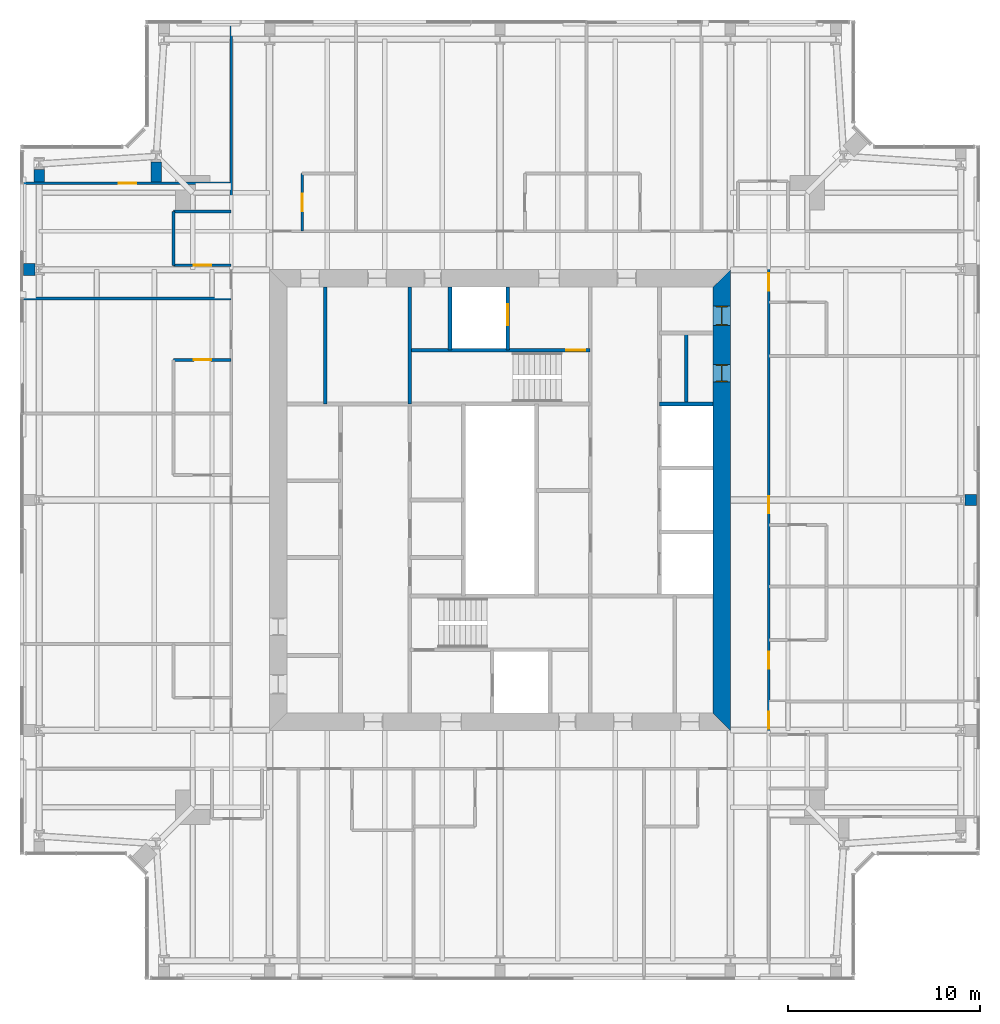
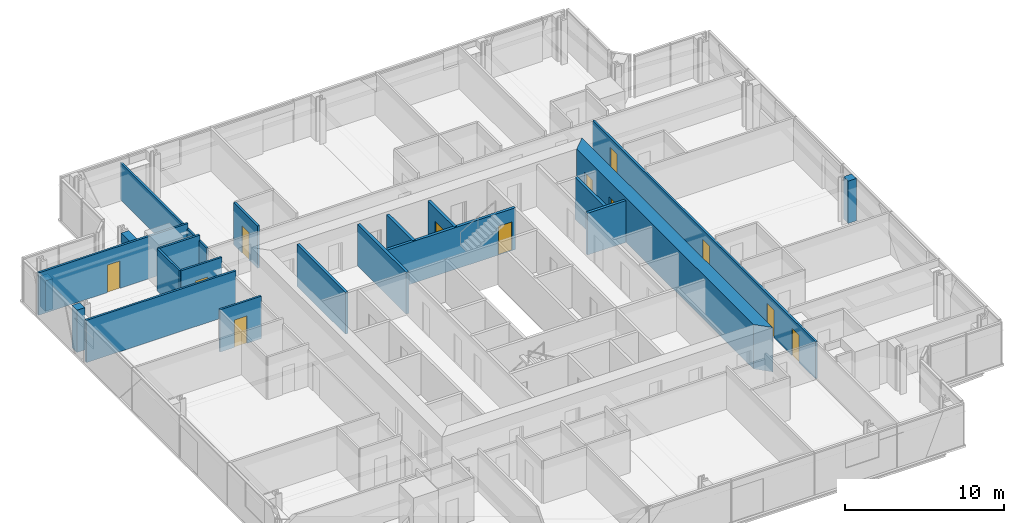
# One storey, part 14 of 19: 21 walls, 12 doors, 12 openings.
"""IFC4 building model written with IfcOpenShell, lengths in metres."""

from ifc_helpers import new_model, si_unit, direction, frame, frame_2d, origin, place, context, subcontext, project, spatial, polyline, rectangle, outline, extrude, material, layer, layer_set, type_object, element, fill, save


model = new_model("IFC4")

# Units and contexts
model_context = context("Model", 3, precision=1e-05, world=origin(), true_north=direction((0.0, 1.0)))
body_context = subcontext(model_context, "Body", "Model", "MODEL_VIEW")
ifc_project = project(units=[si_unit("LENGTHUNIT", "METRE"), si_unit("AREAUNIT", "SQUARE_METRE"), si_unit("VOLUMEUNIT", "CUBIC_METRE"), si_unit("PLANEANGLEUNIT", "RADIAN"), si_unit("MASSUNIT", "GRAM", prefix="KILO")], contexts=[model_context])

# Site, building, storey
site_placement = place(None, origin())
site = spatial("IfcSite", under=ifc_project, at=site_placement, CompositionType="ELEMENT")
building_placement = place(site_placement, origin())
building = spatial("IfcBuilding", under=site, at=building_placement, Name="Fenwick Lantern Interchange", CompositionType="ELEMENT")
storey_placement = place(building_placement, frame((0.0, 0.0, 273.0)))
storey = spatial("IfcBuildingStorey", under=building, at=storey_placement, Name="L65", CompositionType="ELEMENT", Elevation=273.0)

# Walls
ifc_material_1 = material(Name="Fire-rated gypsum board encasement on steel studs, 2 hour", Category="steel")
ifc_layer_1 = layer(ifc_material_1, 0.554931640625)
ifc_layer_set_1 = layer_set([ifc_layer_1], Name="COLUMN PIER 555")
wall_type_1 = type_object("IfcWallType", Name="COLUMN PIER 555", PredefinedType="PARTITIONING", material=ifc_layer_set_1)
wall_1_placement = place(storey_placement, frame((7.10009765625, 41.574951171875, 0.0), z_axis=(0.0, 0.0, 1.0), x_axis=(0.0, 1.0, 0.0)))
element("IfcWall", 1, at=wall_1_placement, inside=storey, type_object=wall_type_1, Name="L65/W/PIER/CNR", PredefinedType="PARTITIONING", context=body_context, shape_type="SweptSolid", body=[
    extrude(rectangle(XDim=1.04052734375, YDim=0.554931640625, at=frame_2d((0.520263671875, 0.0))), origin(), (0.0, 0.0, 1.0), 3.25),
])
wall_2_placement = place(storey_placement, frame((1.0, 41.574951171875, 0.0), z_axis=(0.0, 0.0, 1.0), x_axis=(0.0, 1.0, 0.0)))
element("IfcWall", 2, at=wall_2_placement, inside=storey, type_object=wall_type_1, Name="L65/W/PIER/CW1", PredefinedType="PARTITIONING", context=body_context, shape_type="SweptSolid", body=[
    extrude(rectangle(XDim=0.640625, YDim=0.554931640625, at=frame_2d((0.3203125, 0.0))), origin(), (0.0, 0.0, 1.0), 2.338134765625),
])
ifc_layer_2 = layer(ifc_material_1, 0.574951171875)
ifc_layer_set_2 = layer_set([ifc_layer_2], Name="COLUMN PIER 575")
wall_type_2 = type_object("IfcWallType", Name="COLUMN PIER 575", PredefinedType="PARTITIONING", material=ifc_layer_set_2)
wall_3_placement = place(storey_placement, frame((49.81005859375, 25.0, 0.0), z_axis=(0.0, 0.0, 1.0), x_axis=(-1.0, 0.0, 0.0)))
element("IfcWall", 3, at=wall_3_placement, inside=storey, type_object=wall_type_2, Name="L65/W/PIER/CE3", PredefinedType="PARTITIONING", context=body_context, shape_type="SweptSolid", body=[
    extrude(rectangle(XDim=0.597900390625, YDim=0.574951171875, at=frame_2d((0.298828125, 0.0))), origin(), (0.0, 0.0, 1.0), 3.25),
])
ifc_layer_3 = layer(ifc_material_1, 0.631103515625)
ifc_layer_set_3 = layer_set([ifc_layer_3], Name="COLUMN PIER 631")
wall_type_3 = type_object("IfcWallType", Name="COLUMN PIER 631", PredefinedType="PARTITIONING", material=ifc_layer_set_3)
wall_4_placement = place(storey_placement, frame((0.18994140625, 37.0, 0.0), z_axis=(0.0, 0.0, 1.0), x_axis=(1.0, 0.0, 0.0)))
element("IfcWall", 4, at=wall_4_placement, inside=storey, type_object=wall_type_3, Name="L65/W/PIER/CW2", PredefinedType="PARTITIONING", context=body_context, shape_type="SweptSolid", body=[
    extrude(rectangle(XDim=0.589111328125, YDim=0.631103515625, at=frame_2d((0.29443359375, 0.0))), origin(), (0.0, 0.0, 1.0), 3.25),
])
ifc_material_2 = material(Name="Concrete masonry ASTM C90 Grade N", Category="masonry")
ifc_layer_4 = layer(ifc_material_2, 0.199951171875)
ifc_layer_set_4 = layer_set([ifc_layer_4], Name="Concrete masonry ASTM C90 Grade N")
wall_type_4 = type_object("IfcWallType", Name="CORE PARTITION 200", PredefinedType="PARTITIONING", material=ifc_layer_set_4)
wall_5_placement = place(storey_placement, frame((36.10009765625, 30.0, 0.0), z_axis=(0.0, 0.0, 1.0), x_axis=(-1.0, 0.0, 0.0)))
element("IfcWall", 5, at=wall_5_placement, inside=storey, type_object=wall_type_4, Name="L65/W/COREN/c2", PredefinedType="PARTITIONING", context=body_context, shape_type="SweptSolid", body=[
    extrude(rectangle(XDim=2.800048828125, YDim=0.199951171875, at=frame_2d((1.39990234375, 0.0))), origin(), (0.0, 0.0, 1.0), 3.199951171875),
])

# Wall, opening, door
wall_6_placement = place(storey_placement, frame((25.39990234375, 36.10009765625, 0.0), z_axis=(0.0, 0.0, 1.0), x_axis=(0.0, -1.0, 0.0)))
wall_6 = element("IfcWall", 6, at=wall_6_placement, inside=storey, type_object=wall_type_4, Name="L65/W/COREN/h1", PredefinedType="PARTITIONING", context=body_context, shape_type="SweptSolid", body=[
    extrude(rectangle(XDim=3.300048828125, YDim=0.199951171875, at=frame_2d((1.64990234375, 0.0))), origin(), (0.0, 0.0, 1.0), 3.199951171875),
])
opening_1_placement = place(wall_6_placement, frame((0.89990234375, 0.0, 0.0)))
opening_1 = element("IfcOpeningElement", 7, at=opening_1_placement, cuts=wall_6, Name="Opening LD-FL2", PredefinedType="OPENING", context=body_context, shape_type="SweptSolid", body=[
    extrude(rectangle(XDim=1.10009765625, YDim=2.199951171875, at=frame_2d((0.550048828125, 1.10009765625))), frame((0.0, 0.10986328125, 0.0), z_axis=(0.0, -1.0, 0.0), x_axis=(1.0, 0.0, 0.0)), (0.0, 0.0, 1.0), 0.219970703125),
])
ifc_material_3 = material(Name="Steel door and frame", Category="steel")
door_type_1 = type_object("IfcDoorType", Name="LIFT LANDING DOOR 1100 X 2200", OperationType="DOUBLE_DOOR_SLIDING", PredefinedType="DOOR", material=ifc_material_3)
door_1_placement = place(opening_1_placement, origin())
door_1 = element("IfcDoor", 8, at=door_1_placement, inside=storey, type_object=door_type_1, Name="Lift landing door FL2", OperationType="DOUBLE_DOOR_SLIDING", OverallHeight=2.199951171875, OverallWidth=1.10009765625, PredefinedType="DOOR", context=body_context, shape_type="SweptSolid", body=[
    extrude(rectangle(XDim=1.10009765625, YDim=2.199951171875, at=frame_2d((0.550048828125, 1.10009765625))), frame((0.0, 0.02490234375, 0.0), z_axis=(0.0, -1.0, 0.0), x_axis=(1.0, 0.0, 0.0)), (0.0, 0.0, 1.0), 0.050048828125),
])
fill(opening_1, door_1)

# Walls
wall_7_placement = place(storey_placement, frame((22.39990234375, 36.10009765625, 0.0), z_axis=(0.0, 0.0, 1.0), x_axis=(0.0, -1.0, 0.0)))
element("IfcWall", 9, at=wall_7_placement, inside=storey, type_object=wall_type_4, Name="L65/W/COREN/h2", PredefinedType="PARTITIONING", context=body_context, shape_type="SweptSolid", body=[
    extrude(rectangle(XDim=3.300048828125, YDim=0.199951171875, at=frame_2d((1.64990234375, 0.0))), origin(), (0.0, 0.0, 1.0), 3.199951171875),
])
wall_8_placement = place(storey_placement, frame((15.89990234375, 36.10009765625, 0.0), z_axis=(0.0, 0.0, 1.0), x_axis=(0.0, -1.0, 0.0)))
element("IfcWall", 10, at=wall_8_placement, inside=storey, type_object=wall_type_4, Name="L65/W/COREN/i2", PredefinedType="PARTITIONING", context=body_context, shape_type="SweptSolid", body=[
    extrude(rectangle(XDim=6.10009765625, YDim=0.199951171875, at=frame_2d((3.050048828125, 0.0))), origin(), (0.0, 0.0, 1.0), 3.199951171875),
])
wall_9_placement = place(storey_placement, frame((34.699951171875, 33.699951171875, 0.0), z_axis=(0.0, 0.0, 1.0), x_axis=(0.0, -1.0, 0.0)))
element("IfcWall", 11, at=wall_9_placement, inside=storey, type_object=wall_type_4, Name="L65/W/COREN/px", PredefinedType="PARTITIONING", context=body_context, shape_type="SweptSolid", body=[
    extrude(rectangle(XDim=3.699951171875, YDim=0.199951171875, at=frame_2d((1.85009765625, 0.0))), origin(), (0.0, 0.0, 1.0), 3.199951171875),
])

# Wall, openings, doors
ifc_material_4 = material(Name="Concrete f'c 70 MPa", Category="concrete")
ifc_layer_5 = layer(ifc_material_4, 0.89990234375)
ifc_layer_set_5 = layer_set([ifc_layer_5], Name="CORE WALL 900")
wall_type_5 = type_object("IfcWallType", Name="CORE WALL 900", PredefinedType="SHEAR", material=ifc_layer_set_5)
wall_10_placement = place(storey_placement, frame((36.550048828125, 13.89990234375, 0.0), z_axis=(0.0, 0.0, 1.0), x_axis=(0.0, 1.0, 0.0)))
wall_10 = element("IfcWall", 12, at=wall_10_placement, inside=storey, type_object=wall_type_5, Name="L65/CORE/E", PredefinedType="SHEAR", context=body_context, shape_type="SweptSolid", body=[
    extrude(outline(polyline([(-0.89990234375, -0.449951171875), (23.10009765625, -0.449951171875), (22.199951171875, 0.449951171875), (0.0, 0.449951171875), (-0.89990234375, -0.449951171875)])), origin(), (0.0, 0.0, 1.0), 3.39990234375),
])
opening_2_placement = place(wall_10_placement, frame((20.199951171875, 0.0, 0.0)))
opening_2 = element("IfcOpeningElement", 13, at=opening_2_placement, cuts=wall_10, Name="Opening L65-D020", PredefinedType="OPENING", context=body_context, shape_type="SweptSolid", body=[
    extrude(rectangle(XDim=1.0, YDim=2.199951171875, at=frame_2d((0.5, 1.10009765625))), frame((0.0, 0.4599609375, 0.0), z_axis=(0.0, -1.0, 0.0), x_axis=(1.0, 0.0, 0.0)), (0.0, 0.0, 1.0), 0.919921875),
])
opening_3_placement = place(wall_10_placement, frame((17.25, 0.0, 0.0)))
opening_3 = element("IfcOpeningElement", 14, at=opening_3_placement, cuts=wall_10, Name="Opening L65-D022", PredefinedType="OPENING", context=body_context, shape_type="SweptSolid", body=[
    extrude(rectangle(XDim=0.89990234375, YDim=2.199951171875, at=frame_2d((0.449951171875, 1.10009765625))), frame((0.0, 0.4599609375, 0.0), z_axis=(0.0, -1.0, 0.0), x_axis=(1.0, 0.0, 0.0)), (0.0, 0.0, 1.0), 0.919921875),
])
door_type_2 = type_object("IfcDoorType", Name="SERVICE DOOR 1000 X 2200", OperationType="SINGLE_SWING_LEFT", PredefinedType="DOOR", material=ifc_material_3)
door_2_placement = place(opening_2_placement, origin())
door_2 = element("IfcDoor", 15, at=door_2_placement, inside=storey, type_object=door_type_2, Name="Service door", OperationType="SINGLE_SWING_LEFT", OverallHeight=2.199951171875, OverallWidth=1.0, PredefinedType="DOOR", context=body_context, shape_type="SweptSolid", body=[
    extrude(rectangle(XDim=1.0, YDim=2.199951171875, at=frame_2d((0.5, 1.10009765625))), frame((0.0, 0.02490234375, 0.0), z_axis=(0.0, -1.0, 0.0), x_axis=(1.0, 0.0, 0.0)), (0.0, 0.0, 1.0), 0.050048828125),
    extrude(outline(polyline([(0.0, 0.0), (0.0400390625, 0.0), (0.0400390625, 2.159912109375), (0.9599609375, 2.159912109375), (0.9599609375, 0.0), (1.0, 0.0), (1.0, 2.199951171875), (0.0, 2.199951171875), (0.0, 0.0)])), frame((0.0, 0.300048828125, 0.0), z_axis=(0.0, -1.0, 0.0), x_axis=(1.0, 0.0, 0.0)), (0.0, 0.0, 1.0), 0.60009765625),
])
fill(opening_2, door_2)
door_type_3 = type_object("IfcDoorType", Name="SERVICE DOOR 900 X 2200", OperationType="SINGLE_SWING_LEFT", PredefinedType="DOOR", material=ifc_material_3)
door_3_placement = place(opening_3_placement, origin())
door_3 = element("IfcDoor", 16, at=door_3_placement, inside=storey, type_object=door_type_3, Name="Service door", OperationType="SINGLE_SWING_LEFT", OverallHeight=2.199951171875, OverallWidth=0.89990234375, PredefinedType="DOOR", context=body_context, shape_type="SweptSolid", body=[
    extrude(rectangle(XDim=0.89990234375, YDim=2.199951171875, at=frame_2d((0.449951171875, 1.10009765625))), frame((0.0, 0.02490234375, 0.0), z_axis=(0.0, -1.0, 0.0), x_axis=(1.0, 0.0, 0.0)), (0.0, 0.0, 1.0), 0.050048828125),
    extrude(outline(polyline([(0.0, 0.0), (0.0400390625, 0.0), (0.0400390625, 2.159912109375), (0.85986328125, 2.159912109375), (0.85986328125, 0.0), (0.89990234375, 0.0), (0.89990234375, 2.199951171875), (0.0, 2.199951171875), (0.0, 0.0)])), frame((0.0, 0.300048828125, 0.0), z_axis=(0.0, -1.0, 0.0), x_axis=(1.0, 0.0, 0.0)), (0.0, 0.0, 1.0), 0.60009765625),
])
fill(opening_3, door_3)

ifc_material_5 = material(Name="Gypsum board on steel studs, 1 hour", Category="steel")
ifc_layer_6 = layer(ifc_material_5, 0.14990234375)
ifc_layer_set_6 = layer_set([ifc_layer_6], Name="CORRIDOR WALL 150")
wall_type_6 = type_object("IfcWallType", Name="CORRIDOR WALL 150", PredefinedType="PARTITIONING", material=ifc_layer_set_6)
wall_11_placement = place(storey_placement, frame((39.0, 11.0, 0.0), z_axis=(0.0, 0.0, 1.0), x_axis=(0.0, 1.0, 0.0)))
wall_11 = element("IfcWall", 17, at=wall_11_placement, inside=storey, type_object=wall_type_6, Name="L65/W/HOTEL/E/CW", PredefinedType="PARTITIONING", context=body_context, shape_type="SweptSolid", body=[
    extrude(rectangle(XDim=28.0, YDim=0.14990234375, at=frame_2d((14.0, 0.0))), origin(), (0.0, 0.0, 1.0), 2.843505859375),
])
opening_4_placement = place(wall_11_placement, frame((2.074951171875, 0.0, 0.0)))
opening_4 = element("IfcOpeningElement", 18, at=opening_4_placement, cuts=wall_11, Name="Opening L65-D035", PredefinedType="OPENING", context=body_context, shape_type="SweptSolid", body=[
    extrude(rectangle(XDim=0.89990234375, YDim=2.10009765625, at=frame_2d((0.449951171875, 1.050048828125))), frame((0.0, 0.0849609375, 0.0), z_axis=(0.0, -1.0, 0.0), x_axis=(1.0, 0.0, 0.0)), (0.0, 0.0, 1.0), 0.169921875),
])
opening_5_placement = place(wall_11_placement, frame((5.199951171875, 0.0, 0.0)))
opening_5 = element("IfcOpeningElement", 19, at=opening_5_placement, cuts=wall_11, Name="Opening L65-D037", PredefinedType="OPENING", context=body_context, shape_type="SweptSolid", body=[
    extrude(rectangle(XDim=0.89990234375, YDim=2.10009765625, at=frame_2d((0.449951171875, 1.050048828125))), frame((0.0, 0.0849609375, 0.0), z_axis=(0.0, -1.0, 0.0), x_axis=(1.0, 0.0, 0.0)), (0.0, 0.0, 1.0), 0.169921875),
])
opening_6_placement = place(wall_11_placement, frame((13.300048828125, 0.0, 0.0)))
opening_6 = element("IfcOpeningElement", 20, at=opening_6_placement, cuts=wall_11, Name="Opening L65-D039", PredefinedType="OPENING", context=body_context, shape_type="SweptSolid", body=[
    extrude(rectangle(XDim=0.89990234375, YDim=2.10009765625, at=frame_2d((0.449951171875, 1.050048828125))), frame((0.0, 0.0849609375, 0.0), z_axis=(0.0, -1.0, 0.0), x_axis=(1.0, 0.0, 0.0)), (0.0, 0.0, 1.0), 0.169921875),
])
opening_7_placement = place(wall_11_placement, frame((24.89990234375, 0.0, 0.0)))
opening_7 = element("IfcOpeningElement", 21, at=opening_7_placement, cuts=wall_11, Name="Opening L65-D041", PredefinedType="OPENING", context=body_context, shape_type="SweptSolid", body=[
    extrude(rectangle(XDim=0.89990234375, YDim=2.10009765625, at=frame_2d((0.449951171875, 1.050048828125))), frame((0.0, 0.0849609375, 0.0), z_axis=(0.0, -1.0, 0.0), x_axis=(1.0, 0.0, 0.0)), (0.0, 0.0, 1.0), 0.169921875),
])
door_type_4 = type_object("IfcDoorType", Name="GUEST ROOM DOOR 900 X 2100", OperationType="SINGLE_SWING_LEFT", PredefinedType="DOOR", material=ifc_material_3)
door_4_placement = place(opening_4_placement, frame((0.89990234375, 0.0, 0.0), z_axis=(0.0, 0.0, 1.0), x_axis=(-1.0, 0.0, 0.0)))
door_4 = element("IfcDoor", 22, at=door_4_placement, inside=storey, type_object=door_type_4, Name="Guest room door", OperationType="SINGLE_SWING_RIGHT", OverallHeight=2.10009765625, OverallWidth=0.89990234375, PredefinedType="DOOR", context=body_context, shape_type="SweptSolid", body=[
    extrude(rectangle(XDim=0.89990234375, YDim=2.10009765625, at=frame_2d((0.449951171875, 1.050048828125))), frame((0.0, 0.02490234375, 0.0), z_axis=(0.0, -1.0, 0.0), x_axis=(1.0, 0.0, 0.0)), (0.0, 0.0, 1.0), 0.050048828125),
])
fill(opening_4, door_4)
door_5_placement = place(opening_5_placement, frame((0.89990234375, 0.0, 0.0), z_axis=(0.0, 0.0, 1.0), x_axis=(-1.0, 0.0, 0.0)))
door_5 = element("IfcDoor", 23, at=door_5_placement, inside=storey, type_object=door_type_4, Name="Guest room door", OperationType="SINGLE_SWING_LEFT", OverallHeight=2.10009765625, OverallWidth=0.89990234375, PredefinedType="DOOR", context=body_context, shape_type="SweptSolid", body=[
    extrude(rectangle(XDim=0.89990234375, YDim=2.10009765625, at=frame_2d((0.449951171875, 1.050048828125))), frame((0.0, 0.02490234375, 0.0), z_axis=(0.0, -1.0, 0.0), x_axis=(1.0, 0.0, 0.0)), (0.0, 0.0, 1.0), 0.050048828125),
])
fill(opening_5, door_5)
door_6_placement = place(opening_6_placement, frame((0.89990234375, 0.0, 0.0), z_axis=(0.0, 0.0, 1.0), x_axis=(-1.0, 0.0, 0.0)))
door_6 = element("IfcDoor", 24, at=door_6_placement, inside=storey, type_object=door_type_4, Name="Guest room door", OperationType="SINGLE_SWING_RIGHT", OverallHeight=2.10009765625, OverallWidth=0.89990234375, PredefinedType="DOOR", context=body_context, shape_type="SweptSolid", body=[
    extrude(rectangle(XDim=0.89990234375, YDim=2.10009765625, at=frame_2d((0.449951171875, 1.050048828125))), frame((0.0, 0.02490234375, 0.0), z_axis=(0.0, -1.0, 0.0), x_axis=(1.0, 0.0, 0.0)), (0.0, 0.0, 1.0), 0.050048828125),
])
fill(opening_6, door_6)
door_7_placement = place(opening_7_placement, frame((0.89990234375, 0.0, 0.0), z_axis=(0.0, 0.0, 1.0), x_axis=(-1.0, 0.0, 0.0)))
door_7 = element("IfcDoor", 25, at=door_7_placement, inside=storey, type_object=door_type_4, Name="Guest room door", OperationType="SINGLE_SWING_RIGHT", OverallHeight=2.10009765625, OverallWidth=0.89990234375, PredefinedType="DOOR", context=body_context, shape_type="SweptSolid", body=[
    extrude(rectangle(XDim=0.89990234375, YDim=2.10009765625, at=frame_2d((0.449951171875, 1.050048828125))), frame((0.0, 0.02490234375, 0.0), z_axis=(0.0, -1.0, 0.0), x_axis=(1.0, 0.0, 0.0)), (0.0, 0.0, 1.0), 0.050048828125),
])
fill(opening_7, door_7)

# Wall, opening, door
ifc_material_6 = material(Name="Gypsum board on steel studs, moisture resistant", Category="steel")
ifc_layer_7 = layer(ifc_material_6, 0.14990234375)
ifc_layer_set_7 = layer_set([ifc_layer_7], Name="EN-SUITE WALL 150")
wall_type_7 = type_object("IfcWallType", Name="EN-SUITE WALL 150", PredefinedType="PARTITIONING", material=ifc_layer_set_7)
wall_12_placement = place(storey_placement, frame((14.699951171875, 42.0, 0.0), z_axis=(0.0, 0.0, 1.0), x_axis=(0.0, -1.0, 0.0)))
wall_12 = element("IfcWall", 26, at=wall_12_placement, inside=storey, type_object=wall_type_7, Name="L65/W/HOTEL/N/U4BX", PredefinedType="PARTITIONING", context=body_context, shape_type="SweptSolid", body=[
    extrude(rectangle(XDim=3.0, YDim=0.14990234375, at=frame_2d((1.5, 0.0))), origin(), (0.0, 0.0, 1.0), 3.25),
])
opening_8_placement = place(wall_12_placement, frame((1.050048828125, 0.0, 0.0)))
opening_8 = element("IfcOpeningElement", 27, at=opening_8_placement, cuts=wall_12, Name="Opening L65-D048", PredefinedType="OPENING", context=body_context, shape_type="SweptSolid", body=[
    extrude(rectangle(XDim=0.89990234375, YDim=2.10009765625, at=frame_2d((0.449951171875, 1.050048828125))), frame((0.0, 0.0849609375, 0.0), z_axis=(0.0, -1.0, 0.0), x_axis=(1.0, 0.0, 0.0)), (0.0, 0.0, 1.0), 0.169921875),
])
ifc_material_7 = material(Name="Hardwood door and steel frame", Category="steel")
door_type_5 = type_object("IfcDoorType", Name="EN-SUITE DOOR 900 X 2100", OperationType="SINGLE_SWING_LEFT", PredefinedType="DOOR", material=ifc_material_7)
door_8_placement = place(opening_8_placement, origin())
door_8 = element("IfcDoor", 28, at=door_8_placement, inside=storey, type_object=door_type_5, Name="En-suite door", OperationType="SINGLE_SWING_LEFT", OverallHeight=2.10009765625, OverallWidth=0.89990234375, PredefinedType="DOOR", context=body_context, shape_type="SweptSolid", body=[
    extrude(rectangle(XDim=0.89990234375, YDim=2.10009765625, at=frame_2d((0.449951171875, 1.050048828125))), frame((0.0, 0.02490234375, 0.0), z_axis=(0.0, -1.0, 0.0), x_axis=(1.0, 0.0, 0.0)), (0.0, 0.0, 1.0), 0.050048828125),
])
fill(opening_8, door_8)

# Wall
wall_13_placement = place(storey_placement, frame((8.0, 40.02490234375, 0.0), z_axis=(0.0, 0.0, 1.0), x_axis=(0.0, -1.0, 0.0)))
element("IfcWall", 29, at=wall_13_placement, inside=storey, type_object=wall_type_7, Name="L65/W/HOTEL/W/U1BW", PredefinedType="PARTITIONING", context=body_context, shape_type="SweptSolid", body=[
    extrude(rectangle(XDim=2.7998046875, YDim=0.14990234375, at=frame_2d((1.39990234375, 0.0))), origin(), (0.0, 0.0, 1.0), 3.25),
])

# Wall, opening, door
wall_14_placement = place(storey_placement, frame((8.0, 37.22509765625, 0.0), z_axis=(0.0, 0.0, 1.0), x_axis=(1.0, 0.0, 0.0)))
wall_14 = element("IfcWall", 30, at=wall_14_placement, inside=storey, type_object=wall_type_7, Name="L65/W/HOTEL/W/U1BX", PredefinedType="PARTITIONING", context=body_context, shape_type="SweptSolid", body=[
    extrude(rectangle(XDim=3.0, YDim=0.14990234375, at=frame_2d((1.5, 0.0))), origin(), (0.0, 0.0, 1.0), 3.25),
])
opening_9_placement = place(wall_14_placement, frame((1.050048828125, 0.0, 0.0)))
opening_9 = element("IfcOpeningElement", 31, at=opening_9_placement, cuts=wall_14, Name="Opening L65-D050", PredefinedType="OPENING", context=body_context, shape_type="SweptSolid", body=[
    extrude(rectangle(XDim=0.89990234375, YDim=2.10009765625, at=frame_2d((0.449951171875, 1.050048828125))), frame((0.0, 0.0849609375, 0.0), z_axis=(0.0, -1.0, 0.0), x_axis=(1.0, 0.0, 0.0)), (0.0, 0.0, 1.0), 0.169921875),
])
door_9_placement = place(opening_9_placement, origin())
door_9 = element("IfcDoor", 32, at=door_9_placement, inside=storey, type_object=door_type_5, Name="En-suite door", OperationType="SINGLE_SWING_LEFT", OverallHeight=2.10009765625, OverallWidth=0.89990234375, PredefinedType="DOOR", context=body_context, shape_type="SweptSolid", body=[
    extrude(rectangle(XDim=0.89990234375, YDim=2.10009765625, at=frame_2d((0.449951171875, 1.050048828125))), frame((0.0, 0.02490234375, 0.0), z_axis=(0.0, -1.0, 0.0), x_axis=(1.0, 0.0, 0.0)), (0.0, 0.0, 1.0), 0.050048828125),
])
fill(opening_9, door_9)

# Wall
wall_15_placement = place(storey_placement, frame((8.0, 40.02490234375, 0.0), z_axis=(0.0, 0.0, 1.0), x_axis=(1.0, 0.0, 0.0)))
element("IfcWall", 33, at=wall_15_placement, inside=storey, type_object=wall_type_7, Name="L65/W/HOTEL/W/U1BV", PredefinedType="PARTITIONING", context=body_context, shape_type="SweptSolid", body=[
    extrude(rectangle(XDim=3.0, YDim=0.14990234375, at=frame_2d((1.5, 0.0))), origin(), (0.0, 0.0, 1.0), 3.25),
])

# Wall, opening, door
wall_16_placement = place(storey_placement, frame((8.0, 32.300048828125, 0.0), z_axis=(0.0, 0.0, 1.0), x_axis=(1.0, 0.0, 0.0)))
wall_16 = element("IfcWall", 34, at=wall_16_placement, inside=storey, type_object=wall_type_7, Name="L65/W/HOTEL/W/U2BX", PredefinedType="PARTITIONING", context=body_context, shape_type="SweptSolid", body=[
    extrude(rectangle(XDim=3.0, YDim=0.14990234375, at=frame_2d((1.5, 0.0))), origin(), (0.0, 0.0, 1.0), 3.25),
])
opening_10_placement = place(wall_16_placement, frame((1.050048828125, 0.0, 0.0)))
opening_10 = element("IfcOpeningElement", 35, at=opening_10_placement, cuts=wall_16, Name="Opening L65-D053", PredefinedType="OPENING", context=body_context, shape_type="SweptSolid", body=[
    extrude(rectangle(XDim=0.89990234375, YDim=2.10009765625, at=frame_2d((0.449951171875, 1.050048828125))), frame((0.0, 0.0849609375, 0.0), z_axis=(0.0, -1.0, 0.0), x_axis=(1.0, 0.0, 0.0)), (0.0, 0.0, 1.0), 0.169921875),
])
door_10_placement = place(opening_10_placement, frame((0.89990234375, 0.0, 0.0), z_axis=(0.0, 0.0, 1.0), x_axis=(-1.0, 0.0, 0.0)))
door_10 = element("IfcDoor", 36, at=door_10_placement, inside=storey, type_object=door_type_5, Name="En-suite door", OperationType="SINGLE_SWING_RIGHT", OverallHeight=2.10009765625, OverallWidth=0.89990234375, PredefinedType="DOOR", context=body_context, shape_type="SweptSolid", body=[
    extrude(rectangle(XDim=0.89990234375, YDim=2.10009765625, at=frame_2d((0.449951171875, 1.050048828125))), frame((0.0, 0.02490234375, 0.0), z_axis=(0.0, -1.0, 0.0), x_axis=(1.0, 0.0, 0.0)), (0.0, 0.0, 1.0), 0.050048828125),
])
fill(opening_10, door_10)

# Walls
ifc_material_8 = material(Name="Gypsum board on steel studs, 1 hour acoustic", Category="steel")
ifc_layer_8 = layer(ifc_material_8, 0.14990234375)
ifc_layer_set_8 = layer_set([ifc_layer_8], Name="PARTY WALL 150")
wall_type_8 = type_object("IfcWallType", Name="PARTY WALL 150", PredefinedType="PARTITIONING", material=ifc_layer_set_8)
wall_17_placement = place(storey_placement, frame((11.0, 49.85009765625, 0.0), z_axis=(0.0, 0.0, 1.0), x_axis=(0.0, -1.0, 0.0)))
element("IfcWall", 37, at=wall_17_placement, inside=storey, type_object=wall_type_8, Name="L65/W/HOTEL/W/SW3", PredefinedType="PARTITIONING", context=body_context, shape_type="SweptSolid", body=[
    extrude(rectangle(XDim=10.85009765625, YDim=0.14990234375, at=frame_2d((5.425048828125, 0.0))), origin(), (0.0, 0.0, 1.0), 2.843505859375),
])
wall_18_placement = place(storey_placement, frame((0.14990234375, 35.5, 0.0), z_axis=(0.0, 0.0, 1.0), x_axis=(1.0, 0.0, 0.0)))
element("IfcWall", 38, at=wall_18_placement, inside=storey, type_object=wall_type_8, Name="L65/W/HOTEL/W/U2PW", PredefinedType="PARTITIONING", context=body_context, shape_type="SweptSolid", body=[
    extrude(rectangle(XDim=10.85009765625, YDim=0.14990234375, at=frame_2d((5.425048828125, 0.0))), origin(), (0.0, 0.0, 1.0), 3.25),
])

# Wall, opening, door
ifc_material_9 = material(Name="Concrete f'c 45 MPa", Category="concrete")
ifc_layer_9 = layer(ifc_material_9, 0.199951171875)
ifc_layer_set_9 = layer_set([ifc_layer_9], Name="STAIR CORE WALL 200")
wall_type_9 = type_object("IfcWallType", Name="STAIR CORE WALL 200", PredefinedType="SOLIDWALL", material=ifc_layer_set_9)
wall_19_placement = place(storey_placement, frame((29.699951171875, 32.800048828125, 0.0), z_axis=(0.0, 0.0, 1.0), x_axis=(-1.0, 0.0, 0.0)))
wall_19 = element("IfcWall", 39, at=wall_19_placement, inside=storey, type_object=wall_type_9, Name="L65/W/COREN/g1", PredefinedType="SOLIDWALL", context=body_context, shape_type="SweptSolid", body=[
    extrude(rectangle(XDim=9.39990234375, YDim=0.199951171875, at=frame_2d((4.699951171875, 0.0))), origin(), (0.0, 0.0, 1.0), 3.199951171875),
])
opening_11_placement = place(wall_19_placement, frame((0.25, 0.0, 0.0)))
opening_11 = element("IfcOpeningElement", 40, at=opening_11_placement, cuts=wall_19, Name="Opening L65-D016", PredefinedType="OPENING", context=body_context, shape_type="SweptSolid", body=[
    extrude(rectangle(XDim=1.0, YDim=2.199951171875, at=frame_2d((0.5, 1.10009765625))), frame((0.0, 0.10986328125, 0.0), z_axis=(0.0, -1.0, 0.0), x_axis=(1.0, 0.0, 0.0)), (0.0, 0.0, 1.0), 0.219970703125),
])
door_type_6 = type_object("IfcDoorType", Name="STAIR DOOR 1000 X 2200", OperationType="SINGLE_SWING_LEFT", PredefinedType="DOOR", material=ifc_material_3)
door_11_placement = place(opening_11_placement, origin())
door_11 = element("IfcDoor", 41, at=door_11_placement, inside=storey, type_object=door_type_6, Name="Stair door", OperationType="SINGLE_SWING_LEFT", OverallHeight=2.199951171875, OverallWidth=1.0, PredefinedType="DOOR", context=body_context, shape_type="SweptSolid", body=[
    extrude(rectangle(XDim=1.0, YDim=2.199951171875, at=frame_2d((0.5, 1.10009765625))), frame((0.0, 0.02490234375, 0.0), z_axis=(0.0, -1.0, 0.0), x_axis=(1.0, 0.0, 0.0)), (0.0, 0.0, 1.0), 0.050048828125),
])
fill(opening_11, door_11)

# Wall
wall_20_placement = place(storey_placement, frame((20.300048828125, 36.10009765625, 0.0), z_axis=(0.0, 0.0, 1.0), x_axis=(0.0, -1.0, 0.0)))
element("IfcWall", 42, at=wall_20_placement, inside=storey, type_object=wall_type_9, Name="L65/W/COREN/i1", PredefinedType="SOLIDWALL", context=body_context, shape_type="SweptSolid", body=[
    extrude(rectangle(XDim=6.10009765625, YDim=0.199951171875, at=frame_2d((3.050048828125, 0.0))), origin(), (0.0, 0.0, 1.0), 3.199951171875),
])

# Wall, opening, door
ifc_material_10 = material(Name="Gypsum board on steel studs, acoustic", Category="steel")
ifc_layer_10 = layer(ifc_material_10, 0.14990234375)
ifc_layer_set_10 = layer_set([ifc_layer_10], Name="SUITE PARTITION 150")
wall_type_10 = type_object("IfcWallType", Name="SUITE PARTITION 150", PredefinedType="PARTITIONING", material=ifc_layer_set_10)
wall_21_placement = place(storey_placement, frame((0.14990234375, 41.5, 0.0), z_axis=(0.0, 0.0, 1.0), x_axis=(1.0, 0.0, 0.0)))
wall_21 = element("IfcWall", 43, at=wall_21_placement, inside=storey, type_object=wall_type_10, Name="L65/W/HOTEL/W/U1P", PredefinedType="PARTITIONING", context=body_context, shape_type="SweptSolid", body=[
    extrude(rectangle(XDim=10.85009765625, YDim=0.14990234375, at=frame_2d((5.425048828125, 0.0))), origin(), (0.0, 0.0, 1.0), 3.25),
])
opening_12_placement = place(wall_21_placement, frame((5.0, 0.0, 0.0)))
opening_12 = element("IfcOpeningElement", 44, at=opening_12_placement, cuts=wall_21, Name="Opening L65-D051", PredefinedType="OPENING", context=body_context, shape_type="SweptSolid", body=[
    extrude(rectangle(XDim=0.89990234375, YDim=2.10009765625, at=frame_2d((0.449951171875, 1.050048828125))), frame((0.0, 0.0849609375, 0.0), z_axis=(0.0, -1.0, 0.0), x_axis=(1.0, 0.0, 0.0)), (0.0, 0.0, 1.0), 0.169921875),
])
door_type_7 = type_object("IfcDoorType", Name="SUITE INTERNAL DOOR 900 X 2100", OperationType="SINGLE_SWING_LEFT", PredefinedType="DOOR", material=ifc_material_7)
door_12_placement = place(opening_12_placement, origin())
door_12 = element("IfcDoor", 45, at=door_12_placement, inside=storey, type_object=door_type_7, Name="Suite internal door", OperationType="SINGLE_SWING_RIGHT", OverallHeight=2.10009765625, OverallWidth=0.89990234375, PredefinedType="DOOR", context=body_context, shape_type="SweptSolid", body=[
    extrude(rectangle(XDim=0.89990234375, YDim=2.10009765625, at=frame_2d((0.449951171875, 1.050048828125))), frame((0.0, 0.02490234375, 0.0), z_axis=(0.0, -1.0, 0.0), x_axis=(1.0, 0.0, 0.0)), (0.0, 0.0, 1.0), 0.050048828125),
])
fill(opening_12, door_12)

save(model, "model.ifc")
